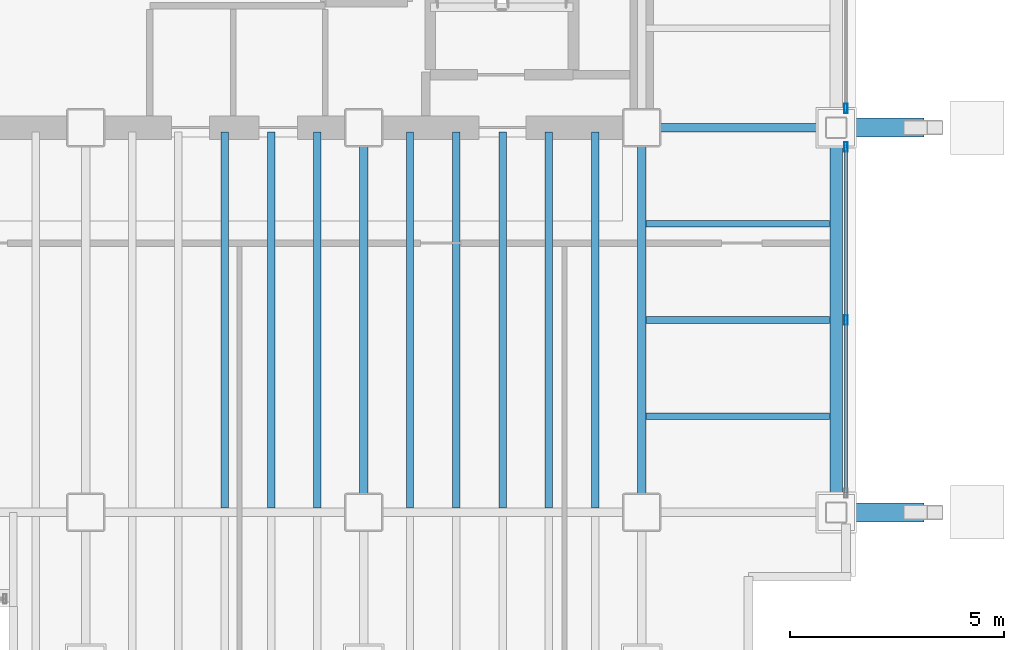
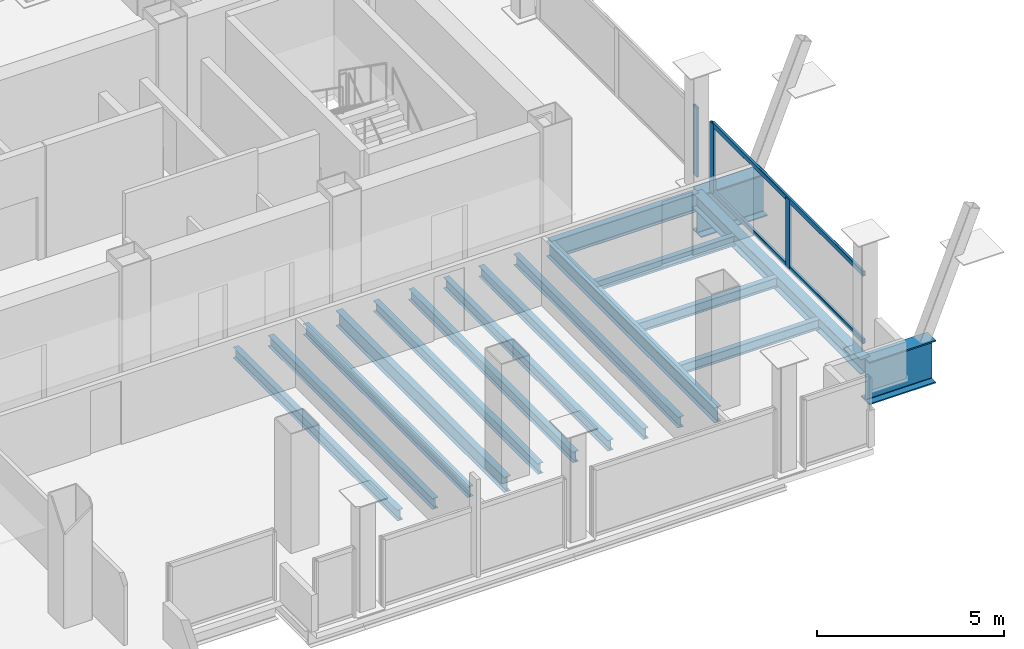
# One storey, part 12 of 19: 17 beams, 5 members, 2 elements without a shape of their own.
"""IFC4 building model written with IfcOpenShell, lengths in metres."""

from ifc_helpers import new_model, si_unit, direction, frame, origin, origin_2d, place, context, subcontext, project, spatial, hollow_rectangle, i_section, extrude, material, material_profile, profile_set, type_object, element, aggregate, save


model = new_model("IFC4")

# Units and contexts
model_context = context("Model", 3, precision=1e-05, world=origin(), true_north=direction((0.0, 1.0)))
body_context = subcontext(model_context, "Body", "Model", "MODEL_VIEW")
ifc_project = project(units=[si_unit("LENGTHUNIT", "METRE"), si_unit("AREAUNIT", "SQUARE_METRE"), si_unit("VOLUMEUNIT", "CUBIC_METRE"), si_unit("PLANEANGLEUNIT", "RADIAN"), si_unit("MASSUNIT", "GRAM", prefix="KILO")], contexts=[model_context])

# Site, building, storey
site_placement = place(None, origin())
site = spatial("IfcSite", under=ifc_project, at=site_placement, CompositionType="ELEMENT")
building_placement = place(site_placement, origin())
building = spatial("IfcBuilding", under=site, at=building_placement, Name="Noeulbin Bourse Tower", CompositionType="ELEMENT")
storey_placement = place(building_placement, frame((0.0, 0.0, 165.60009765625)))
storey = spatial("IfcBuildingStorey", under=building, at=storey_placement, Name="L41", CompositionType="ELEMENT", Elevation=165.60009765625)

# Beams
ifc_material_1 = material(Name="Steel S355", Category="steel")
ifc_material_profile_1 = material_profile(ifc_material_1, i_section(OverallWidth=0.199951171875, OverallDepth=0.5, WebThickness=0.010009765625, FlangeThickness=0.01611328125, FilletRadius=0.02001953125, at=origin_2d()), Name="H-500x200x10x16", Category="LoadBearing")
ifc_profile_set_1 = profile_set([ifc_material_profile_1], Name="Steel S355")
beam_type_1 = type_object("IfcBeamType", Name="BM-GRD-500", PredefinedType="USERDEFINED", material=ifc_profile_set_1)
for number, where, z_axis, x_axis, name in (
    (1, (37.5, 20.0, -0.43017578125), (0.0, 1.0, 0.0), (-1.0, 0.0, 0.0), "Tower Primary Girder NS L41-4.2"),
    (2, (44.0, 20.0, -0.43017578125), (0.0, 1.0, 0.0), (-1.0, 0.0, 0.0), "Tower Primary Girder NS L41-5.2"),
):
    element("IfcBeam", number, at=place(storey_placement, frame(where, z_axis=z_axis, x_axis=x_axis)), inside=storey, type_object=beam_type_1, Name=name, ObjectType="GIRDER", PredefinedType="USERDEFINED", context=body_context, shape_type="SweptSolid", body=[
        extrude(i_section(OverallWidth=0.199951171875, OverallDepth=0.5, WebThickness=0.010009765625, FlangeThickness=0.01611328125, FilletRadius=0.02001953125, at=origin_2d()), origin(), (0.0, 0.0, 1.0), 9.0),
    ])
ifc_material_profile_2 = material_profile(ifc_material_1, i_section(OverallWidth=0.199951171875, OverallDepth=0.60009765625, WebThickness=0.010986328125, FlangeThickness=0.01708984375, FilletRadius=0.02197265625, at=origin_2d()), Name="H-600x200x11x17", Category="LoadBearing")
ifc_profile_set_2 = profile_set([ifc_material_profile_2], Name="Steel S355")
beam_type_2 = type_object("IfcBeamType", Name="BM-GRD-600", PredefinedType="USERDEFINED", material=ifc_profile_set_2)
beam_1_placement = place(storey_placement, frame((44.0, 29.0, -0.47998046875), z_axis=(1.0, 0.0, 0.0), x_axis=(0.0, 1.0, 0.0)))
element("IfcBeam", 3, at=beam_1_placement, inside=storey, type_object=beam_type_2, Name="Tower Primary Girder EW L41-2.6", ObjectType="GIRDER", PredefinedType="USERDEFINED", context=body_context, shape_type="SweptSolid", body=[
    extrude(i_section(OverallWidth=0.199951171875, OverallDepth=0.60009765625, WebThickness=0.010986328125, FlangeThickness=0.01708984375, FilletRadius=0.02197265625, at=origin_2d()), origin(), (0.0, 0.0, 1.0), 4.550048828125),
])
ifc_material_profile_3 = material_profile(ifc_material_1, i_section(OverallWidth=0.159912109375, OverallDepth=0.320068359375, WebThickness=0.006591796875, FlangeThickness=0.010009765625, FilletRadius=0.012939453125, at=origin_2d()), Name="H-320x160x6.5x10", Category="LoadBearing")
ifc_profile_set_3 = profile_set([ifc_material_profile_3], Name="Steel S355")
beam_type_3 = type_object("IfcBeamType", Name="BM-JST-320", PredefinedType="JOIST", material=ifc_profile_set_3)
for number, where, z_axis, x_axis, name in (
    (4, (44.10009765625, 22.25, -0.340087890625), (1.0, 0.0, 0.0), (0.0, 1.0, 0.0), "Wing Composite Joist L41-E73"),
    (5, (44.10009765625, 24.5, -0.340087890625), (1.0, 0.0, 0.0), (0.0, 1.0, 0.0), "Wing Composite Joist L41-E74"),
    (6, (44.10009765625, 26.75, -0.340087890625), (1.0, 0.0, 0.0), (0.0, 1.0, 0.0), "Wing Composite Joist L41-E75"),
):
    element("IfcBeam", number, at=place(storey_placement, frame(where, z_axis=z_axis, x_axis=x_axis)), inside=storey, type_object=beam_type_3, Name=name, PredefinedType="JOIST", context=body_context, shape_type="SweptSolid", body=[
        extrude(i_section(OverallWidth=0.159912109375, OverallDepth=0.320068359375, WebThickness=0.006591796875, FlangeThickness=0.010009765625, FilletRadius=0.012939453125, at=origin_2d()), origin(), (0.0, 0.0, 1.0), 4.2998046875),
    ])
ifc_material_profile_4 = material_profile(ifc_material_1, i_section(OverallWidth=0.175048828125, OverallDepth=0.35009765625, WebThickness=0.007080078125, FlangeThickness=0.010986328125, FilletRadius=0.013916015625, at=origin_2d()), Name="H-350x175x7x11", Category="LoadBearing")
ifc_profile_set_4 = profile_set([ifc_material_profile_4], Name="Steel S355")
beam_type_4 = type_object("IfcBeamType", Name="BM-JST-350", PredefinedType="JOIST", material=ifc_profile_set_4)
for number, where, z_axis, x_axis, name in (
    (7, (34.25, 20.10009765625, -0.35498046875), (0.0, 1.0, 0.0), (-1.0, 0.0, 0.0), "Tower Composite Joist L41-47"),
    (8, (35.333251953125, 20.10009765625, -0.35498046875), (0.0, 1.0, 0.0), (-1.0, 0.0, 0.0), "Tower Composite Joist L41-50"),
    (9, (36.416748046875, 20.10009765625, -0.35498046875), (0.0, 1.0, 0.0), (-1.0, 0.0, 0.0), "Tower Composite Joist L41-53"),
    (10, (38.583251953125, 20.10009765625, -0.35498046875), (0.0, 1.0, 0.0), (-1.0, 0.0, 0.0), "Tower Composite Joist L41-56"),
    (11, (39.666748046875, 20.10009765625, -0.35498046875), (0.0, 1.0, 0.0), (-1.0, 0.0, 0.0), "Tower Composite Joist L41-59"),
    (12, (40.75, 20.10009765625, -0.35498046875), (0.0, 1.0, 0.0), (-1.0, 0.0, 0.0), "Tower Composite Joist L41-62"),
    (13, (41.833251953125, 20.10009765625, -0.35498046875), (0.0, 1.0, 0.0), (-1.0, 0.0, 0.0), "Tower Composite Joist L41-65"),
    (14, (42.916748046875, 20.10009765625, -0.35498046875), (0.0, 1.0, 0.0), (-1.0, 0.0, 0.0), "Tower Composite Joist L41-68"),
):
    element("IfcBeam", number, at=place(storey_placement, frame(where, z_axis=z_axis, x_axis=x_axis)), inside=storey, type_object=beam_type_4, Name=name, PredefinedType="JOIST", context=body_context, shape_type="SweptSolid", body=[
        extrude(i_section(OverallWidth=0.175048828125, OverallDepth=0.35009765625, WebThickness=0.007080078125, FlangeThickness=0.010986328125, FilletRadius=0.013916015625, at=origin_2d()), origin(), (0.0, 0.0, 1.0), 8.7998046875),
    ])
ifc_material_profile_5 = material_profile(ifc_material_1, i_section(OverallWidth=0.300048828125, OverallDepth=0.488037109375, WebThickness=0.010986328125, FlangeThickness=0.01806640625, FilletRadius=0.02197265625, at=origin_2d()), Name="H-488x300x11x18", Category="LoadBearing")
ifc_profile_set_5 = profile_set([ifc_material_profile_5], Name="Steel S355")
beam_type_5 = type_object("IfcBeamType", Name="BM-SPN-488", PredefinedType="SPANDREL", material=ifc_profile_set_5)
beam_2_placement = place(storey_placement, frame((48.550048828125, 20.0, -0.424072265625), z_axis=(0.0, 1.0, 0.0), x_axis=(-1.0, 0.0, 0.0)))
element("IfcBeam", 15, at=beam_2_placement, inside=storey, type_object=beam_type_5, Name="East Spandrel L41-1", PredefinedType="SPANDREL", context=body_context, shape_type="SweptSolid", body=[
    extrude(i_section(OverallWidth=0.300048828125, OverallDepth=0.488037109375, WebThickness=0.010986328125, FlangeThickness=0.01806640625, FilletRadius=0.02197265625, at=origin_2d()), origin(), (0.0, 0.0, 1.0), 9.0),
])
ifc_material_2 = material(Name="Steel S460", Category="steel")
ifc_material_profile_6 = material_profile(ifc_material_2, i_section(OverallWidth=0.449951171875, OverallDepth=1.39990234375, WebThickness=0.02392578125, FlangeThickness=0.0400390625, FilletRadius=0.02392578125, at=origin_2d()), Name="PG-1400x450x24x40", Category="LoadBearing")
ifc_profile_set_6 = profile_set([ifc_material_profile_6], Name="Steel S460")
beam_type_6 = type_object("IfcBeamType", Name="BM-TRF-1400", PredefinedType="USERDEFINED", material=ifc_profile_set_6)
for number, where, z_axis, x_axis, name in (
    (16, (48.550048828125, 20.0, -0.880126953125), (1.0, 0.0, 0.0), (0.0, 1.0, 0.0), "Transfer Outrigger Corbel L41-01"),
    (17, (48.550048828125, 29.0, -0.880126953125), (1.0, 0.0, 0.0), (0.0, 1.0, 0.0), "Transfer Outrigger Corbel L41-02"),
):
    element("IfcBeam", number, at=place(storey_placement, frame(where, z_axis=z_axis, x_axis=x_axis)), inside=storey, type_object=beam_type_6, Name=name, ObjectType="GIRDER", PredefinedType="USERDEFINED", context=body_context, shape_type="SweptSolid", body=[
        extrude(i_section(OverallWidth=0.449951171875, OverallDepth=1.39990234375, WebThickness=0.02392578125, FlangeThickness=0.0400390625, FilletRadius=0.02392578125, at=origin_2d()), origin(), (0.0, 0.0, 1.0), 2.050048828125),
    ])

# Curtain wall, members
ifc_material_3 = material(Name="Dark Tinted Triple Glazing", Category="glass")
curtain_wall_type = type_object("IfcCurtainWallType", Name="CW-SYS-3", PredefinedType="NOTDEFINED", material=ifc_material_3)
curtain_wall_1_placement = place(storey_placement, origin())
curtain_wall_1 = element("IfcCurtainWall", 18, at=curtain_wall_1_placement, inside=storey, type_object=curtain_wall_type, Name="Unitised Curtain Wall CW-L41-E-S1", PredefinedType="NOTDEFINED")
ifc_material_4 = material(Name="Anodised Aluminium 6063-T6", Category="aluminium")
ifc_material_profile_7 = material_profile(ifc_material_4, hollow_rectangle(XDim=0.074951171875, YDim=0.219970703125, WallThickness=0.0048828125, InnerFilletRadius=0.00244140625, OuterFilletRadius=0.0048828125, at=origin_2d()), Name="ALU-MULL-75x220x5", Category="LoadBearing")
ifc_profile_set_7 = profile_set([ifc_material_profile_7], Name="Anodised Aluminium 6063-T6")
member_type_1 = type_object("IfcMemberType", Name="CW-SYS-3-MUL", PredefinedType="MULLION", material=ifc_profile_set_7)
member_1_placement = place(storey_placement, frame((48.780029296875, 24.5, -0.02001953125), z_axis=(0.0, 0.0, 1.0), x_axis=(1.0, 0.0, 0.0)))
member_1 = element("IfcMember", 19, at=member_1_placement, type_object=member_type_1, Name="Curtain Wall Mullion CW-L41-E-S1-M01", PredefinedType="MULLION", context=body_context, shape_type="SweptSolid", body=[
    extrude(hollow_rectangle(XDim=0.074951171875, YDim=0.219970703125, WallThickness=0.0048828125, InnerFilletRadius=0.00244140625, OuterFilletRadius=0.0048828125, at=origin_2d()), origin(), (0.0, 0.0, 1.0), 2.260009765625),
])
member_2_placement = place(storey_placement, frame((48.780029296875, 28.550048828125, -0.02001953125), z_axis=(0.0, 0.0, 1.0), x_axis=(1.0, 0.0, 0.0)))
member_2 = element("IfcMember", 20, at=member_2_placement, type_object=member_type_1, Name="Curtain Wall Mullion CW-L41-E-S1-M02", PredefinedType="MULLION", context=body_context, shape_type="SweptSolid", body=[
    extrude(hollow_rectangle(XDim=0.074951171875, YDim=0.219970703125, WallThickness=0.0048828125, InnerFilletRadius=0.00244140625, OuterFilletRadius=0.0048828125, at=origin_2d()), origin(), (0.0, 0.0, 1.0), 2.260009765625),
])

# Curtain wall, member
curtain_wall_2_placement = place(storey_placement, origin())
curtain_wall_2 = element("IfcCurtainWall", 21, at=curtain_wall_2_placement, inside=storey, type_object=curtain_wall_type, Name="Unitised Curtain Wall CW-L41-E-S2", PredefinedType="NOTDEFINED")
member_3_placement = place(storey_placement, frame((48.780029296875, 29.449951171875, -0.02001953125), z_axis=(0.0, 0.0, 1.0), x_axis=(1.0, 0.0, 0.0)))
member_3 = element("IfcMember", 22, at=member_3_placement, type_object=member_type_1, Name="Curtain Wall Mullion CW-L41-E-S2-M00", PredefinedType="MULLION", context=body_context, shape_type="SweptSolid", body=[
    extrude(hollow_rectangle(XDim=0.074951171875, YDim=0.219970703125, WallThickness=0.0048828125, InnerFilletRadius=0.00244140625, OuterFilletRadius=0.0048828125, at=origin_2d()), origin(), (0.0, 0.0, 1.0), 2.260009765625),
])
aggregate(curtain_wall_2, [member_3])

# Member
ifc_material_profile_8 = material_profile(ifc_material_4, hollow_rectangle(XDim=0.074951171875, YDim=0.159912109375, WallThickness=0.0048828125, InnerFilletRadius=0.00244140625, OuterFilletRadius=0.0048828125, at=origin_2d()), Name="ALU-TRAN-75x160x5", Category="LoadBearing")
ifc_profile_set_8 = profile_set([ifc_material_profile_8], Name="Anodised Aluminium 6063-T6")
member_type_2 = type_object("IfcMemberType", Name="CW-SYS-3-TRN", PredefinedType="USERDEFINED", material=ifc_profile_set_8)
member_4_placement = place(storey_placement, frame((48.780029296875, 20.4599609375, 0.010009765625), z_axis=(0.0, 1.0, 0.0), x_axis=(-1.0, 0.0, 0.0)))
member_4 = element("IfcMember", 23, at=member_4_placement, type_object=member_type_2, Name="Curtain Wall Transom CW-L41-E-S1-T00", ObjectType="TRANSOM", PredefinedType="USERDEFINED", context=body_context, shape_type="SweptSolid", body=[
    extrude(hollow_rectangle(XDim=0.074951171875, YDim=0.159912109375, WallThickness=0.0048828125, InnerFilletRadius=0.00244140625, OuterFilletRadius=0.0048828125, at=origin_2d()), origin(), (0.0, 0.0, 1.0), 8.080078125),
])

member_5_placement = place(storey_placement, frame((48.780029296875, 20.4599609375, 2.2099609375), z_axis=(0.0, 1.0, 0.0), x_axis=(-1.0, 0.0, 0.0)))
member_5 = element("IfcMember", 24, at=member_5_placement, type_object=member_type_2, Name="Curtain Wall Transom CW-L41-E-S1-T01", ObjectType="TRANSOM", PredefinedType="USERDEFINED", context=body_context, shape_type="SweptSolid", body=[
    extrude(hollow_rectangle(XDim=0.074951171875, YDim=0.159912109375, WallThickness=0.0048828125, InnerFilletRadius=0.00244140625, OuterFilletRadius=0.0048828125, at=origin_2d()), origin(), (0.0, 0.0, 1.0), 8.080078125),
])

aggregate(curtain_wall_1, [member_1, member_2, member_4, member_5])

save(model, "model.ifc")
